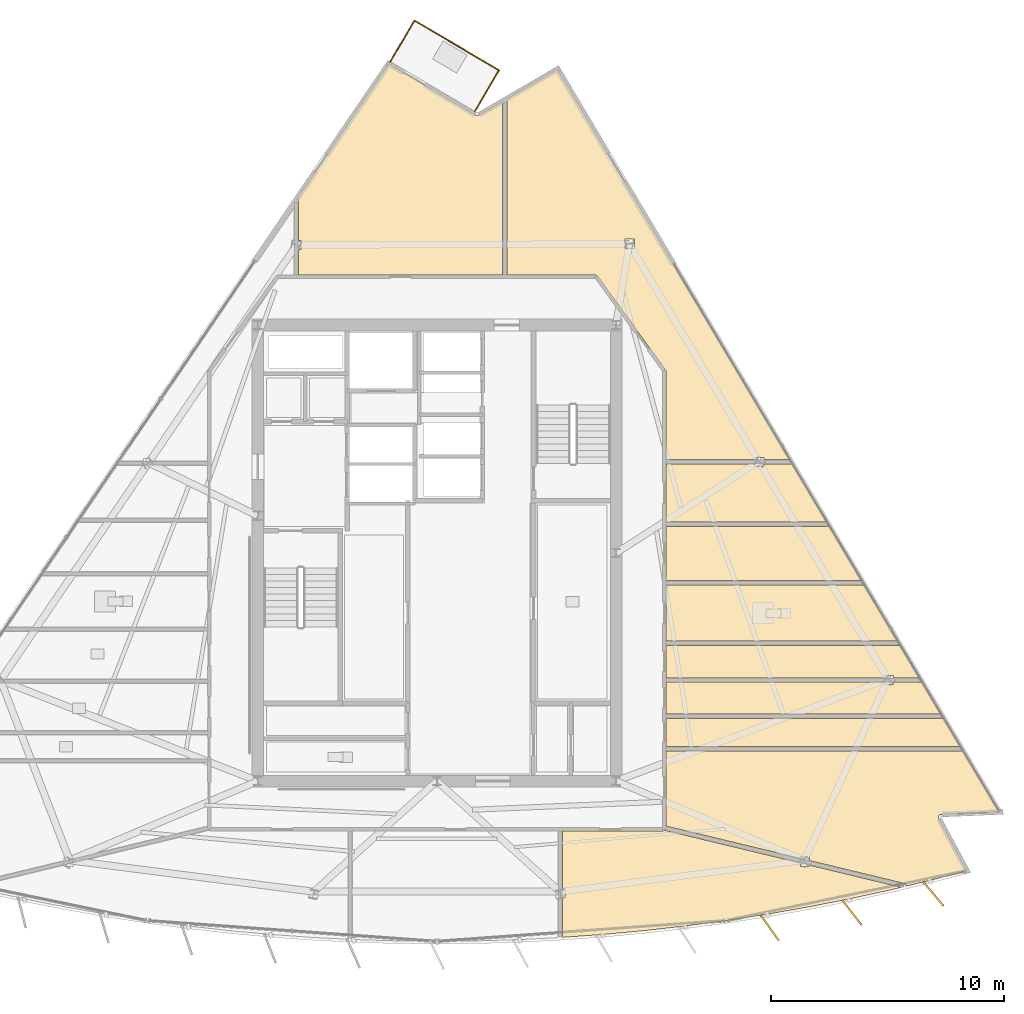
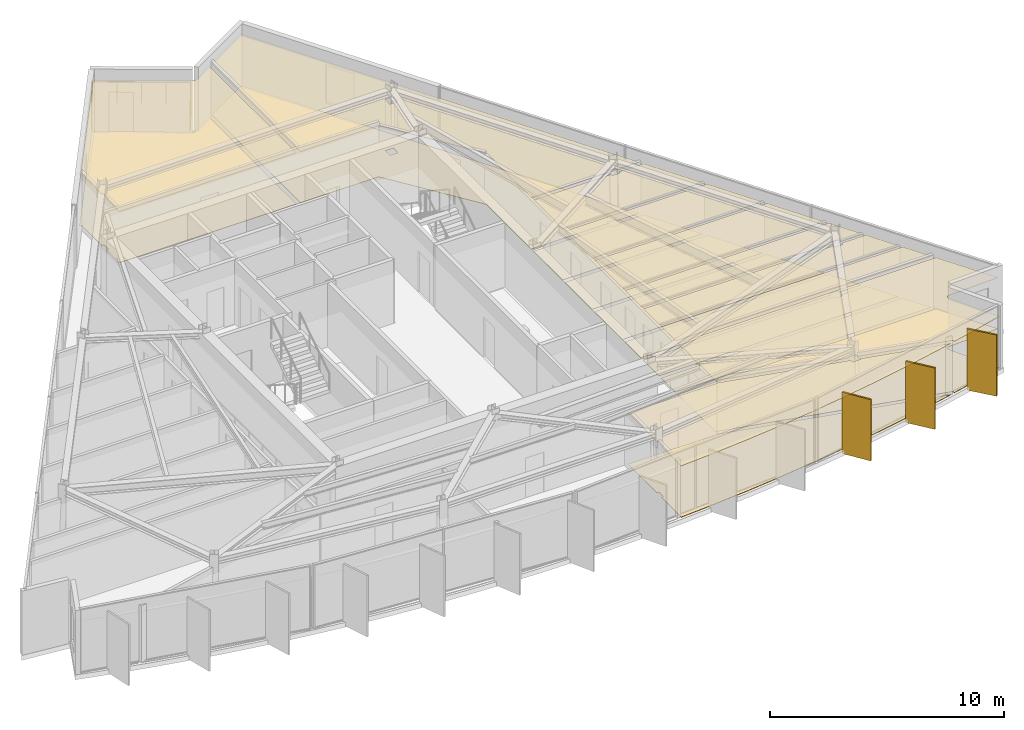
# One storey, part 12 of 13: 20 coverings, 3 railings, 3 shading devices.
"""IFC4 building model written with IfcOpenShell, lengths in metres."""

from ifc_helpers import new_model, si_unit, direction, frame, origin, origin_2d, place, context, subcontext, project, spatial, polyline, rectangle, circle, outline, extrude, material, layer, layer_set, type_object, element, save


model = new_model("IFC4")

# Units and contexts
model_context = context("Model", 3, precision=1e-05, world=origin(), true_north=direction((0.0, 1.0)))
body_context = subcontext(model_context, "Body", "Model", "MODEL_VIEW")
ifc_project = project(units=[si_unit("LENGTHUNIT", "METRE"), si_unit("AREAUNIT", "SQUARE_METRE"), si_unit("VOLUMEUNIT", "CUBIC_METRE"), si_unit("PLANEANGLEUNIT", "RADIAN"), si_unit("MASSUNIT", "GRAM", prefix="KILO")], contexts=[model_context])

# Site, building, storey
site_placement = place(None, origin())
site = spatial("IfcSite", under=ifc_project, at=site_placement, CompositionType="ELEMENT")
building_placement = place(site_placement, origin())
building = spatial("IfcBuilding", under=site, at=building_placement, Name="Savorim Split Tower", CompositionType="ELEMENT")
storey_placement = place(building_placement, frame((0.0, 0.0, 254.39990234375)))
storey = spatial("IfcBuildingStorey", under=building, at=storey_placement, Name="L67", CompositionType="ELEMENT", Elevation=254.39990234375)

# Coverings
ifc_material_1 = material(Name="Mineral Fibre Acoustic Ceiling")
ifc_layer_1 = layer(ifc_material_1, 0.02490234375)
ifc_layer_set_1 = layer_set([ifc_layer_1], Name="COV-CEIL-25")
covering_type_1 = type_object("IfcCoveringType", Name="COV-CEIL-25", PredefinedType="CEILING", material=ifc_layer_set_1)
covering_1_placement = place(storey_placement, frame((0.0, 0.0, 2.670166015625)))
element("IfcCovering", 1, at=covering_1_placement, inside=storey, type_object=covering_type_1, Name="L67 Maker Workshop Acoustic Ceiling", PredefinedType="CEILING", context=body_context, shape_type="SweptSolid", body=[
    extrude(outline(polyline([(14.2060546875, -15.117919921875), (15.962646484375, -14.80908203125), (17.712890625, -14.464599609375), (19.45556640625, -14.084228515625), (19.95751953125, -13.9638671875), (16.013671875, -13.013427734375), (16.013671875, -13.064208984375), (15.61962890625, -13.064208984375), (15.61962890625, -12.91845703125), (9.814697265625, -11.51953125), (9.78369140625, -11.51220703125), (9.77783203125, -11.516357421875), (9.76611328125, -11.5234375), (9.753662109375, -11.529296875), (9.740478515625, -11.533935546875), (9.727294921875, -11.537353515625), (9.713623046875, -11.539306640625), (9.699951171875, -11.5400390625), (5.39599609375, -11.5400390625), (5.39599609375, -14.0224609375), (5.498046875, -14.0224609375), (5.498046875, -14.414306640625), (5.39599609375, -14.414306640625), (5.39599609375, -16.0712890625), (5.39599609375, -16.115478515625), (7.126953125, -15.991455078125), (8.90283203125, -15.827392578125), (10.67529296875, -15.626953125), (12.443359375, -15.390380859375), (14.2060546875, -15.117919921875)])), origin(), (0.0, 0.0, 1.0), 0.02490234375),
])
covering_2_placement = place(storey_placement, frame((0.0, 0.0, 2.670166015625)))
element("IfcCovering", 2, at=covering_2_placement, inside=storey, type_object=covering_type_1, Name="L67 Co-Working Commons Acoustic Ceiling", PredefinedType="CEILING", context=body_context, shape_type="SweptSolid", body=[
    extrude(outline(polyline([(21.639404296875, -10.830810546875), (21.650634765625, -10.828857421875), (21.662109375, -10.82763671875), (24.16357421875, -10.72119140625), (22.607666015625, -8.104736328125), (9.840087890625, -8.104736328125), (9.840087890625, -11.330078125), (15.61962890625, -12.722900390625), (15.61962890625, -12.672119140625), (16.013671875, -12.672119140625), (16.013671875, -12.81787109375), (20.076171875, -13.796875), (20.16845703125, -13.819091796875), (20.14453125, -13.9189453125), (21.18994140625, -13.668212890625), (22.769287109375, -13.25537109375), (21.5615234375, -11.00439453125), (21.556640625, -10.993896484375), (21.552734375, -10.983154296875), (21.5498046875, -10.971923828125), (21.548095703125, -10.96044921875), (21.54736328125, -10.948974609375), (21.547607421875, -10.9375), (21.54931640625, -10.926025390625), (21.552001953125, -10.914794921875), (21.5556640625, -10.90380859375), (21.560302734375, -10.893310546875), (21.56591796875, -10.88330078125), (21.57275390625, -10.873779296875), (21.580078125, -10.864990234375), (21.58837890625, -10.857177734375), (21.59765625, -10.849853515625), (21.607421875, -10.84375), (21.61767578125, -10.83837890625), (21.62841796875, -10.833984375), (21.639404296875, -10.830810546875)])), origin(), (0.0, 0.0, 1.0), 0.02490234375),
])
covering_3_placement = place(storey_placement, frame((0.0, 0.0, 2.670166015625)))
element("IfcCovering", 3, at=covering_3_placement, inside=storey, type_object=covering_type_1, Name="L67 Co-Living Bedroom Acoustic Ceiling", PredefinedType="CEILING", context=body_context, shape_type="SweptSolid", body=[
    extrude(outline(polyline([(22.49462890625, -7.914794921875), (21.773193359375, -6.70166015625), (9.840087890625, -6.70166015625), (9.840087890625, -7.914794921875), (22.49462890625, -7.914794921875)])), origin(), (0.0, 0.0, 1.0), 0.02490234375),
])
covering_4_placement = place(storey_placement, frame((0.0, 0.0, 2.670166015625)))
element("IfcCovering", 4, at=covering_4_placement, inside=storey, type_object=covering_type_1, Name="L67 Quiet Study Room Acoustic Ceiling", PredefinedType="CEILING", context=body_context, shape_type="SweptSolid", body=[
    extrude(outline(polyline([(19.235107421875, -5.253173828125), (19.235107421875, -5.152099609375), (9.840087890625, -5.152099609375), (9.840087890625, -6.51171875), (21.660400390625, -6.51171875), (20.832275390625, -5.118896484375), (20.832275390625, -5.152099609375), (19.629150390625, -5.152099609375), (19.629150390625, -5.253173828125), (19.235107421875, -5.253173828125)])), origin(), (0.0, 0.0, 1.0), 0.02490234375),
])
covering_5_placement = place(storey_placement, frame((0.0, 0.0, 2.670166015625)))
element("IfcCovering", 5, at=covering_5_placement, inside=storey, type_object=covering_type_1, Name="L67 Quiet Study Room Acoustic Ceiling", PredefinedType="CEILING", context=body_context, shape_type="SweptSolid", body=[
    extrude(outline(polyline([(19.629150390625, -4.861083984375), (19.629150390625, -4.962158203125), (20.7373046875, -4.962158203125), (20.739013671875, -4.962158203125), (19.917236328125, -3.580078125), (9.840087890625, -3.580078125), (9.840087890625, -4.962158203125), (19.235107421875, -4.962158203125), (19.235107421875, -4.861083984375), (19.629150390625, -4.861083984375)])), origin(), (0.0, 0.0, 1.0), 0.02490234375),
])
covering_6_placement = place(storey_placement, frame((0.0, 0.0, 2.670166015625)))
element("IfcCovering", 6, at=covering_6_placement, inside=storey, type_object=covering_type_1, Name="L67 Shared Bathroom Acoustic Ceiling", PredefinedType="CEILING", context=body_context, shape_type="SweptSolid", body=[
    extrude(outline(polyline([(19.80419921875, -3.39013671875), (18.37109375, -0.97998046875), (9.840087890625, -0.97998046875), (9.840087890625, -3.39013671875), (19.80419921875, -3.39013671875)])), origin(), (0.0, 0.0, 1.0), 0.02490234375),
])
covering_7_placement = place(storey_placement, frame((0.0, 0.0, 2.670166015625)))
element("IfcCovering", 7, at=covering_7_placement, inside=storey, type_object=covering_type_1, Name="L67 Co-Living Bedroom Acoustic Ceiling", PredefinedType="CEILING", context=body_context, shape_type="SweptSolid", body=[
    extrude(outline(polyline([(18.25830078125, -0.7900390625), (16.86865234375, 1.546875), (9.840087890625, 1.546875), (9.840087890625, -0.7900390625), (18.25830078125, -0.7900390625)])), origin(), (0.0, 0.0, 1.0), 0.02490234375),
])
covering_8_placement = place(storey_placement, frame((0.0, 0.0, 2.670166015625)))
element("IfcCovering", 8, at=covering_8_placement, inside=storey, type_object=covering_type_1, Name="L67 Quiet Study Room Acoustic Ceiling", PredefinedType="CEILING", context=body_context, shape_type="SweptSolid", body=[
    extrude(outline(polyline([(13.662353515625, 4.119140625), (13.662353515625, 4.22021484375), (9.840087890625, 4.22021484375), (9.840087890625, 1.73681640625), (16.755615234375, 1.73681640625), (15.259521484375, 4.253173828125), (15.259521484375, 4.22021484375), (14.056396484375, 4.22021484375), (14.056396484375, 4.119140625), (13.662353515625, 4.119140625)])), origin(), (0.0, 0.0, 1.0), 0.02490234375),
])
covering_9_placement = place(storey_placement, frame((0.0, 0.0, 2.670166015625)))
element("IfcCovering", 9, at=covering_9_placement, inside=storey, type_object=covering_type_1, Name="L67 Maker Workshop Acoustic Ceiling", PredefinedType="CEILING", context=body_context, shape_type="SweptSolid", body=[
    extrude(outline(polyline([(15.164306640625, 4.41015625), (15.166015625, 4.41015625), (5.188720703125, 21.189697265625), (3.006591796875, 19.918212890625), (3.006591796875, 12.340087890625), (6.800048828125, 12.340087890625), (6.813232421875, 12.33935546875), (6.826416015625, 12.33740234375), (6.839111328125, 12.33447265625), (6.8515625, 12.330078125), (6.863525390625, 12.32470703125), (6.875, 12.318115234375), (6.885986328125, 12.310546875), (6.89599609375, 12.302001953125), (6.905029296875, 12.29248046875), (6.913330078125, 12.2822265625), (9.813232421875, 8.2822265625), (9.8212890625, 8.27001953125), (9.827880859375, 8.2568359375), (9.833251953125, 8.2431640625), (9.8369140625, 8.22900390625), (9.839111328125, 8.214599609375), (9.840087890625, 8.199951171875), (9.840087890625, 4.41015625), (13.662353515625, 4.41015625), (13.662353515625, 4.510986328125), (14.056396484375, 4.510986328125), (14.056396484375, 4.41015625), (15.164306640625, 4.41015625)]), holes=[polyline([(8.4833984375, 13.88330078125), (8.08935546875, 13.88330078125), (8.08935546875, 13.4912109375), (8.4833984375, 13.4912109375), (8.4833984375, 13.88330078125)])]), origin(), (0.0, 0.0, 1.0), 0.02490234375),
])
covering_10_placement = place(storey_placement, frame((0.0, 0.0, 2.670166015625)))
element("IfcCovering", 10, at=covering_10_placement, inside=storey, type_object=covering_type_1, Name="L67 Co-Working Commons Acoustic Ceiling", PredefinedType="CEILING", context=body_context, shape_type="SweptSolid", body=[
    extrude(outline(polyline([(1.697265625, 19.2041015625), (1.6865234375, 19.20849609375), (1.676513671875, 19.213623046875), (-2.071533203125, 21.41650390625), (-6.038818359375, 15.5849609375), (-5.947998046875, 15.5849609375), (-5.947998046875, 13.83447265625), (-5.845947265625, 13.83447265625), (-5.845947265625, 13.4423828125), (-5.947998046875, 13.4423828125), (-5.947998046875, 12.340087890625), (2.816650390625, 12.340087890625), (2.816650390625, 19.807373046875), (1.797607421875, 19.21337890625), (1.787353515625, 19.208251953125), (1.776611328125, 19.203857421875), (1.765625, 19.20068359375), (1.75439453125, 19.198486328125), (1.742919921875, 19.197265625), (1.731201171875, 19.197265625), (1.7197265625, 19.198486328125), (1.70849609375, 19.20068359375), (1.697265625, 19.2041015625)])), origin(), (0.0, 0.0, 1.0), 0.02490234375),
])
ifc_material_2 = material(Name="Porcelain Stoneware Flooring", Category="masonry")
ifc_layer_2 = layer(ifc_material_2, 0.02001953125)
ifc_layer_set_2 = layer_set([ifc_layer_2], Name="COV-FLOR-20")
covering_type_2 = type_object("IfcCoveringType", Name="COV-FLOR-20", PredefinedType="FLOORING", material=ifc_layer_set_2)
covering_11_placement = place(storey_placement, origin())
element("IfcCovering", 11, at=covering_11_placement, inside=storey, type_object=covering_type_2, Name="L67 Maker Workshop Porcelain Flooring", PredefinedType="FLOORING", context=body_context, shape_type="SweptSolid", body=[
    extrude(outline(polyline([(14.2060546875, -15.117919921875), (15.962646484375, -14.80908203125), (17.712890625, -14.464599609375), (19.45556640625, -14.084228515625), (19.95751953125, -13.9638671875), (16.013671875, -13.013427734375), (16.013671875, -13.064208984375), (15.61962890625, -13.064208984375), (15.61962890625, -12.91845703125), (9.814697265625, -11.51953125), (9.78369140625, -11.51220703125), (9.77783203125, -11.516357421875), (9.76611328125, -11.5234375), (9.753662109375, -11.529296875), (9.740478515625, -11.533935546875), (9.727294921875, -11.537353515625), (9.713623046875, -11.539306640625), (9.699951171875, -11.5400390625), (5.39599609375, -11.5400390625), (5.39599609375, -14.0224609375), (5.498046875, -14.0224609375), (5.498046875, -14.414306640625), (5.39599609375, -14.414306640625), (5.39599609375, -16.0712890625), (5.39599609375, -16.115478515625), (7.126953125, -15.991455078125), (8.90283203125, -15.827392578125), (10.67529296875, -15.626953125), (12.443359375, -15.390380859375), (14.2060546875, -15.117919921875)])), origin(), (0.0, 0.0, 1.0), 0.02001953125),
])
covering_12_placement = place(storey_placement, origin())
element("IfcCovering", 12, at=covering_12_placement, inside=storey, type_object=covering_type_2, Name="L67 Co-Working Commons Porcelain Flooring", PredefinedType="FLOORING", context=body_context, shape_type="SweptSolid", body=[
    extrude(outline(polyline([(21.639404296875, -10.830810546875), (21.650634765625, -10.828857421875), (21.662109375, -10.82763671875), (24.16357421875, -10.72119140625), (22.607666015625, -8.104736328125), (9.840087890625, -8.104736328125), (9.840087890625, -11.330078125), (15.61962890625, -12.722900390625), (15.61962890625, -12.672119140625), (16.013671875, -12.672119140625), (16.013671875, -12.81787109375), (20.076171875, -13.796875), (20.16845703125, -13.819091796875), (20.14453125, -13.9189453125), (21.18994140625, -13.668212890625), (22.769287109375, -13.25537109375), (21.5615234375, -11.00439453125), (21.556640625, -10.993896484375), (21.552734375, -10.983154296875), (21.5498046875, -10.971923828125), (21.548095703125, -10.96044921875), (21.54736328125, -10.948974609375), (21.547607421875, -10.9375), (21.54931640625, -10.926025390625), (21.552001953125, -10.914794921875), (21.5556640625, -10.90380859375), (21.560302734375, -10.893310546875), (21.56591796875, -10.88330078125), (21.57275390625, -10.873779296875), (21.580078125, -10.864990234375), (21.58837890625, -10.857177734375), (21.59765625, -10.849853515625), (21.607421875, -10.84375), (21.61767578125, -10.83837890625), (21.62841796875, -10.833984375), (21.639404296875, -10.830810546875)])), origin(), (0.0, 0.0, 1.0), 0.02001953125),
])
covering_13_placement = place(storey_placement, origin())
element("IfcCovering", 13, at=covering_13_placement, inside=storey, type_object=covering_type_2, Name="L67 Co-Living Bedroom Porcelain Flooring", PredefinedType="FLOORING", context=body_context, shape_type="SweptSolid", body=[
    extrude(outline(polyline([(22.49462890625, -7.914794921875), (21.773193359375, -6.70166015625), (9.840087890625, -6.70166015625), (9.840087890625, -7.914794921875), (22.49462890625, -7.914794921875)])), origin(), (0.0, 0.0, 1.0), 0.02001953125),
])
covering_14_placement = place(storey_placement, origin())
element("IfcCovering", 14, at=covering_14_placement, inside=storey, type_object=covering_type_2, Name="L67 Quiet Study Room Porcelain Flooring", PredefinedType="FLOORING", context=body_context, shape_type="SweptSolid", body=[
    extrude(outline(polyline([(19.235107421875, -5.253173828125), (19.235107421875, -5.152099609375), (9.840087890625, -5.152099609375), (9.840087890625, -6.51171875), (21.660400390625, -6.51171875), (20.832275390625, -5.118896484375), (20.832275390625, -5.152099609375), (19.629150390625, -5.152099609375), (19.629150390625, -5.253173828125), (19.235107421875, -5.253173828125)])), origin(), (0.0, 0.0, 1.0), 0.02001953125),
])
covering_15_placement = place(storey_placement, origin())
element("IfcCovering", 15, at=covering_15_placement, inside=storey, type_object=covering_type_2, Name="L67 Quiet Study Room Porcelain Flooring", PredefinedType="FLOORING", context=body_context, shape_type="SweptSolid", body=[
    extrude(outline(polyline([(19.629150390625, -4.861083984375), (19.629150390625, -4.962158203125), (20.7373046875, -4.962158203125), (20.739013671875, -4.962158203125), (19.917236328125, -3.580078125), (9.840087890625, -3.580078125), (9.840087890625, -4.962158203125), (19.235107421875, -4.962158203125), (19.235107421875, -4.861083984375), (19.629150390625, -4.861083984375)])), origin(), (0.0, 0.0, 1.0), 0.02001953125),
])
covering_16_placement = place(storey_placement, origin())
element("IfcCovering", 16, at=covering_16_placement, inside=storey, type_object=covering_type_2, Name="L67 Shared Bathroom Porcelain Flooring", PredefinedType="FLOORING", context=body_context, shape_type="SweptSolid", body=[
    extrude(outline(polyline([(19.80419921875, -3.39013671875), (18.37109375, -0.97998046875), (9.840087890625, -0.97998046875), (9.840087890625, -3.39013671875), (19.80419921875, -3.39013671875)])), origin(), (0.0, 0.0, 1.0), 0.02001953125),
])
covering_17_placement = place(storey_placement, origin())
element("IfcCovering", 17, at=covering_17_placement, inside=storey, type_object=covering_type_2, Name="L67 Co-Living Bedroom Porcelain Flooring", PredefinedType="FLOORING", context=body_context, shape_type="SweptSolid", body=[
    extrude(outline(polyline([(18.25830078125, -0.7900390625), (16.86865234375, 1.546875), (9.840087890625, 1.546875), (9.840087890625, -0.7900390625), (18.25830078125, -0.7900390625)])), origin(), (0.0, 0.0, 1.0), 0.02001953125),
])
covering_18_placement = place(storey_placement, origin())
element("IfcCovering", 18, at=covering_18_placement, inside=storey, type_object=covering_type_2, Name="L67 Quiet Study Room Porcelain Flooring", PredefinedType="FLOORING", context=body_context, shape_type="SweptSolid", body=[
    extrude(outline(polyline([(13.662353515625, 4.119140625), (13.662353515625, 4.22021484375), (9.840087890625, 4.22021484375), (9.840087890625, 1.73681640625), (16.755615234375, 1.73681640625), (15.259521484375, 4.253173828125), (15.259521484375, 4.22021484375), (14.056396484375, 4.22021484375), (14.056396484375, 4.119140625), (13.662353515625, 4.119140625)])), origin(), (0.0, 0.0, 1.0), 0.02001953125),
])
covering_19_placement = place(storey_placement, origin())
element("IfcCovering", 19, at=covering_19_placement, inside=storey, type_object=covering_type_2, Name="L67 Maker Workshop Porcelain Flooring", PredefinedType="FLOORING", context=body_context, shape_type="SweptSolid", body=[
    extrude(outline(polyline([(15.164306640625, 4.41015625), (15.166015625, 4.41015625), (5.188720703125, 21.189697265625), (3.006591796875, 19.918212890625), (3.006591796875, 12.340087890625), (6.800048828125, 12.340087890625), (6.813232421875, 12.33935546875), (6.826416015625, 12.33740234375), (6.839111328125, 12.33447265625), (6.8515625, 12.330078125), (6.863525390625, 12.32470703125), (6.875, 12.318115234375), (6.885986328125, 12.310546875), (6.89599609375, 12.302001953125), (6.905029296875, 12.29248046875), (6.913330078125, 12.2822265625), (9.813232421875, 8.2822265625), (9.8212890625, 8.27001953125), (9.827880859375, 8.2568359375), (9.833251953125, 8.2431640625), (9.8369140625, 8.22900390625), (9.839111328125, 8.214599609375), (9.840087890625, 8.199951171875), (9.840087890625, 4.41015625), (13.662353515625, 4.41015625), (13.662353515625, 4.510986328125), (14.056396484375, 4.510986328125), (14.056396484375, 4.41015625), (15.164306640625, 4.41015625)]), holes=[polyline([(8.4833984375, 13.88330078125), (8.08935546875, 13.88330078125), (8.08935546875, 13.4912109375), (8.4833984375, 13.4912109375), (8.4833984375, 13.88330078125)])]), origin(), (0.0, 0.0, 1.0), 0.02001953125),
])
covering_20_placement = place(storey_placement, origin())
element("IfcCovering", 20, at=covering_20_placement, inside=storey, type_object=covering_type_2, Name="L67 Co-Working Commons Porcelain Flooring", PredefinedType="FLOORING", context=body_context, shape_type="SweptSolid", body=[
    extrude(outline(polyline([(1.697265625, 19.2041015625), (1.6865234375, 19.20849609375), (1.676513671875, 19.213623046875), (-2.071533203125, 21.41650390625), (-6.038818359375, 15.5849609375), (-5.947998046875, 15.5849609375), (-5.947998046875, 13.83447265625), (-5.845947265625, 13.83447265625), (-5.845947265625, 13.4423828125), (-5.947998046875, 13.4423828125), (-5.947998046875, 12.340087890625), (2.816650390625, 12.340087890625), (2.816650390625, 19.807373046875), (1.797607421875, 19.21337890625), (1.787353515625, 19.208251953125), (1.776611328125, 19.203857421875), (1.765625, 19.20068359375), (1.75439453125, 19.198486328125), (1.742919921875, 19.197265625), (1.731201171875, 19.197265625), (1.7197265625, 19.198486328125), (1.70849609375, 19.20068359375), (1.697265625, 19.2041015625)])), origin(), (0.0, 0.0, 1.0), 0.02001953125),
])

# Railings
ifc_material_3 = material(Name="Galvanised Painted Steel Balustrade", Category="steel")
railing_type = type_object("IfcRailingType", Name="RLG-BAL-1100", PredefinedType="BALUSTRADE", material=ifc_material_3)
railing_1_placement = place(storey_placement, frame((-2.004150390625, 21.51611328125, 0.0)))
element("IfcRailing", 21, at=railing_1_placement, inside=storey, type_object=railing_type, Name="L67 Tree Balcony Guardrail N-1", PredefinedType="BALUSTRADE", context=body_context, shape_type="SweptSolid", body=[
    extrude(circle(Radius=0.02392578125, at=origin_2d()), frame((0.0, 0.0, 1.076171875), z_axis=(0.506733850669, 0.862102548764, 0.0), x_axis=(-0.862102548764, 0.506733850669, 0.0)), (0.0, 0.0, 1.0), 2.050048828125),
    extrude(circle(Radius=0.02099609375, at=origin_2d()), origin(), (0.0, 0.0, 1.0), 1.052001953125),
    extrude(circle(Radius=0.02099609375, at=origin_2d()), frame((0.51953125, 0.8837890625, 0.0)), (0.0, 0.0, 1.0), 1.052001953125),
    extrude(circle(Radius=0.02099609375, at=origin_2d()), frame((1.038818359375, 1.767333984375, 0.0)), (0.0, 0.0, 1.0), 1.052001953125),
])
railing_2_placement = place(storey_placement, frame((-0.96533203125, 23.283447265625, 0.0)))
element("IfcRailing", 22, at=railing_2_placement, inside=storey, type_object=railing_type, Name="L67 Tree Balcony Guardrail N-2", PredefinedType="BALUSTRADE", context=body_context, shape_type="SweptSolid", body=[
    extrude(circle(Radius=0.02392578125, at=origin_2d()), frame((0.0, 0.0, 1.076171875), z_axis=(0.862129004769, -0.506688838575, 0.0), x_axis=(0.506688838575, 0.862129004769, 0.0)), (0.0, 0.0, 1.0), 4.219482421875),
    extrude(circle(Radius=0.02099609375, at=origin_2d()), origin(), (0.0, 0.0, 1.0), 1.052001953125),
    extrude(circle(Radius=0.02099609375, at=origin_2d()), frame((0.909423828125, -0.534423828125, 0.0)), (0.0, 0.0, 1.0), 1.052001953125),
    extrude(circle(Radius=0.02099609375, at=origin_2d()), frame((1.81884765625, -1.06884765625, 0.0)), (0.0, 0.0, 1.0), 1.052001953125),
    extrude(circle(Radius=0.02099609375, at=origin_2d()), frame((2.728271484375, -1.603515625, 0.0)), (0.0, 0.0, 1.0), 1.052001953125),
    extrude(circle(Radius=0.02099609375, at=origin_2d()), frame((3.6376953125, -2.137939453125, 0.0)), (0.0, 0.0, 1.0), 1.052001953125),
])
railing_3_placement = place(storey_placement, frame((2.67236328125, 21.1455078125, 0.0)))
element("IfcRailing", 23, at=railing_3_placement, inside=storey, type_object=railing_type, Name="L67 Tree Balcony Guardrail N-3", PredefinedType="BALUSTRADE", context=body_context, shape_type="SweptSolid", body=[
    extrude(circle(Radius=0.02392578125, at=origin_2d()), frame((0.0, 0.0, 1.076171875), z_axis=(-0.506593312838, -0.862185139856, 0.0), x_axis=(0.862185139856, -0.506593312838, 0.0)), (0.0, 0.0, 1.0), 2.050048828125),
    extrude(circle(Radius=0.02099609375, at=origin_2d()), origin(), (0.0, 0.0, 1.0), 1.052001953125),
    extrude(circle(Radius=0.02099609375, at=origin_2d()), frame((-0.519287109375, -0.8837890625, 0.0)), (0.0, 0.0, 1.0), 1.052001953125),
    extrude(circle(Radius=0.02099609375, at=origin_2d()), frame((-1.03857421875, -1.767578125, 0.0)), (0.0, 0.0, 1.0), 1.052001953125),
])

# Shading devices
ifc_material_4 = material(Name="Terracotta Ceramic-Coated Aluminium Fin", Category="masonry")
shading_device_type = type_object("IfcShadingDeviceType", Name="SHD-FIN-1360", PredefinedType="USERDEFINED", material=ifc_material_4)
for number, where, z_axis, x_axis, name in (
    (24, (14.302978515625, -15.705810546875, -0.19970703125), (0.0, 0.0, 1.0), (0.578993757737, -0.815331974414, 0.0), "L67 Sawtooth Shading Fin 11"),
    (25, (17.833984375, -15.048095703125, -0.19970703125), (0.0, 0.0, 1.0), (0.611868076908, -0.790959832394, 0.0), "L67 Sawtooth Shading Fin 12"),
    (26, (21.3349609375, -14.246337890625, -0.19970703125), (0.0, 0.0, 1.0), (0.643719022682, -0.765261928909, 0.0), "L67 Sawtooth Shading Fin 13"),
):
    element("IfcShadingDevice", number, at=place(storey_placement, frame(where, z_axis=z_axis, x_axis=x_axis)), inside=storey, type_object=shading_device_type, Name=name, ObjectType="FIN", PredefinedType="USERDEFINED", context=body_context, shape_type="SweptSolid", body=[
        extrude(rectangle(XDim=1.360107421875, YDim=0.080078125, at=origin_2d()), origin(), (0.0, 0.0, 1.0), 3.199951171875),
    ])

save(model, "model.ifc")
